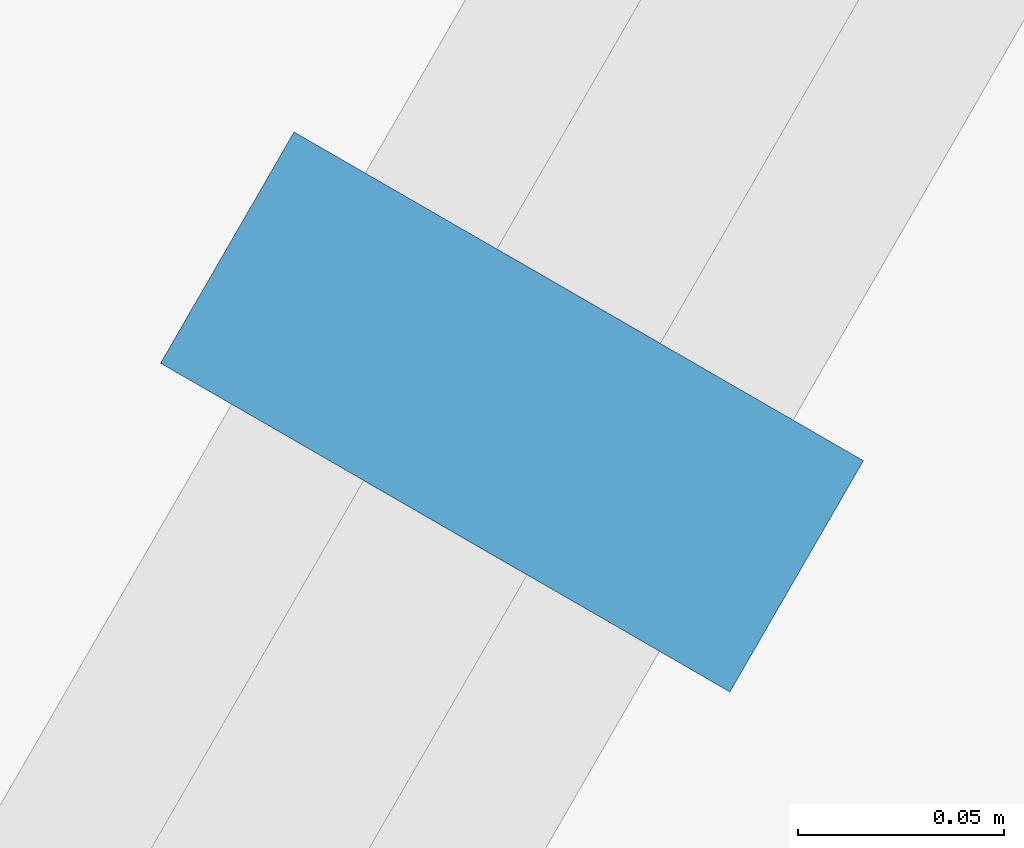
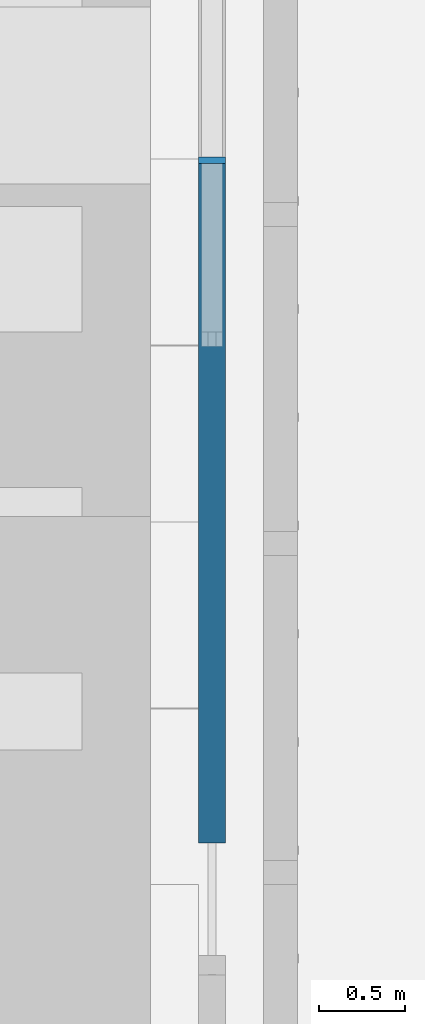
# One storey, part 87 of 228: 1 member, 1 element without a shape of its own.
"""IFC4 building model written with IfcOpenShell, lengths in metres."""

from ifc_helpers import new_model, si_unit, direction, frame, origin, origin_2d, place, context, subcontext, project, spatial, rectangle, extrude, material, material_profile, profile_set, type_object, element, aggregate, save


model = new_model("IFC4")

# Units and contexts
model_context = context("Model", 3, precision=1e-05, world=origin(), true_north=direction((0.0, 1.0)))
body_context = subcontext(model_context, "Body", "Model", "MODEL_VIEW")
ifc_project = project(units=[si_unit("LENGTHUNIT", "METRE"), si_unit("AREAUNIT", "SQUARE_METRE"), si_unit("VOLUMEUNIT", "CUBIC_METRE"), si_unit("PLANEANGLEUNIT", "RADIAN"), si_unit("MASSUNIT", "GRAM", prefix="KILO")], contexts=[model_context])

# Site, building, storey
site_placement = place(None, origin())
site = spatial("IfcSite", under=ifc_project, at=site_placement, CompositionType="ELEMENT")
building_placement = place(site_placement, origin())
building = spatial("IfcBuilding", under=site, at=building_placement, Name="Sandreach Pilgrim Tower", CompositionType="ELEMENT")
storey_placement = place(building_placement, frame((0.0, 0.0, 178.199951171875)))
storey = spatial("IfcBuildingStorey", under=building, at=storey_placement, Name="L44", CompositionType="ELEMENT", Elevation=178.199951171875)

# Curtain wall, member
ifc_material_1 = material(Name="Aluminium framed curtain wall", Category="aluminium")
curtain_wall_type = type_object("IfcCurtainWallType", Name="Upper hotel tower curtain wall", PredefinedType="NOTDEFINED", material=ifc_material_1)
curtain_wall_placement = place(storey_placement, origin())
curtain_wall = element("IfcCurtainWall", 1, at=curtain_wall_placement, inside=storey, type_object=curtain_wall_type, Name="CW-3 L44 SE", PredefinedType="NOTDEFINED")
ifc_material_2 = material(Name="Aluminium extrusion", Category="aluminium")
ifc_material_profile = material_profile(ifc_material_2, rectangle(XDim=0.06494140625, YDim=0.159912109375, at=origin_2d()), Name="CW-3M 65X160")
ifc_profile_set = profile_set([ifc_material_profile], Name="Aluminium extrusion")
member_type = type_object("IfcMemberType", Name="CW-3 mullion", PredefinedType="MULLION", material=ifc_profile_set)
member_placement = place(storey_placement, frame((13.49462890625, -18.94677734375, 0.0), z_axis=(0.0, 0.0, 1.0), x_axis=(-0.5, -0.866025403784, 0.0)))
member = element("IfcMember", 2, at=member_placement, type_object=member_type, Name="CW-3 mullion 8", PredefinedType="MULLION", context=body_context, shape_type="SweptSolid", body=[
    extrude(rectangle(XDim=0.06494140625, YDim=0.159912109375, at=origin_2d()), origin(), (0.0, 0.0, 1.0), 4.840087890625),
])
aggregate(curtain_wall, [member])

save(model, "model.ifc")
